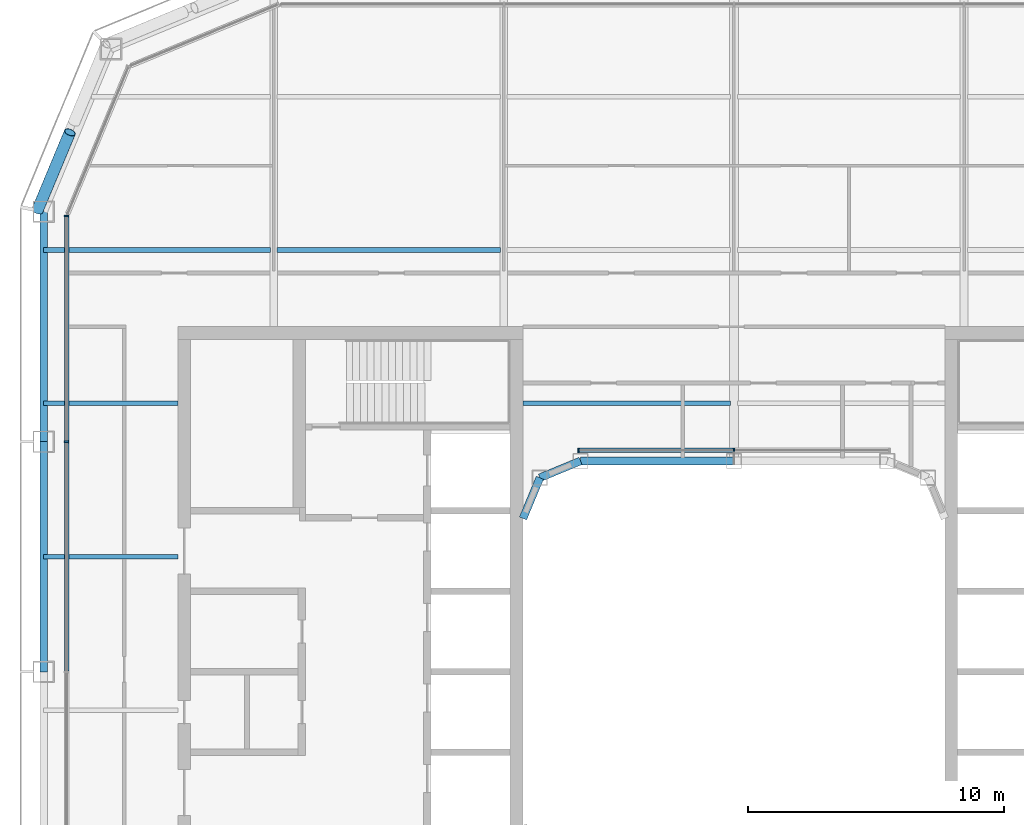
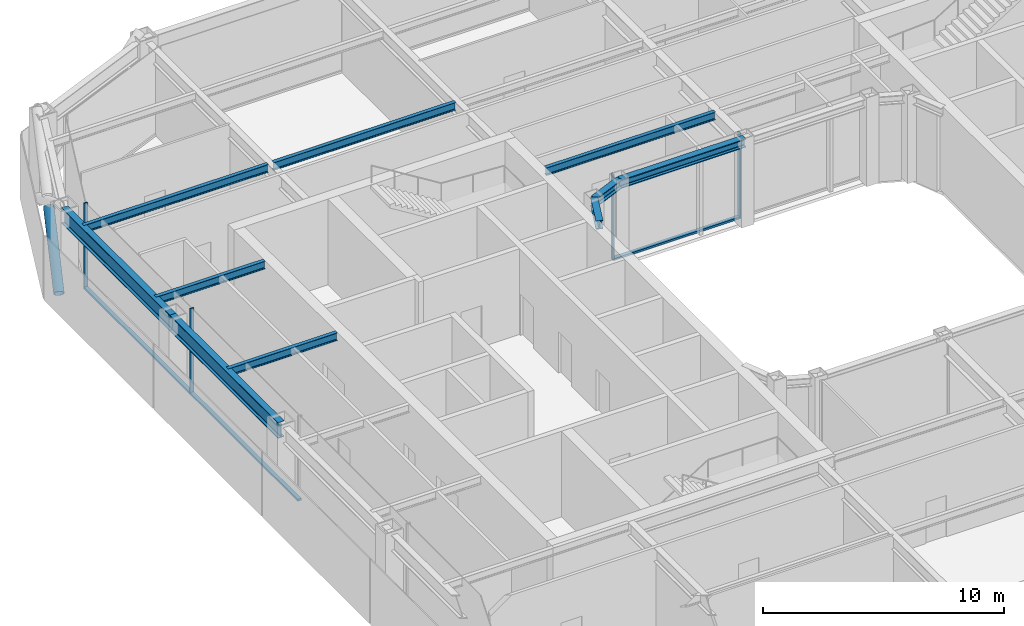
# One storey, part 6 of 19: 10 beams, 8 members, 2 elements without a shape of their own.
"""IFC4 building model written with IfcOpenShell, lengths in metres."""

import ifcopenshell
import ifcopenshell.guid

model = None  # the IFC model being written
_history = None  # IfcOwnerHistory: only IFC2X3 demands one
_inside = {}  # id of a spatial element -> (the spatial element, [elements in it])
_under = {}  # id of a project, library or spatial element -> (it, [spatial elements below it])
_declared = {}  # id of a project -> (the project, [libraries it declares])
_typed = {}  # id of a type object -> (the type object, [elements of that type])
_made_of = {}  # id of a material, layer set ... -> (it, [elements and type objects made of it])


def new_model(schema):
    """Start an empty IFC model of exactly this schema.

    Asked for "IFC4X3", IfcOpenShell would pick the latest addendum, in which some entities
    have other attributes; the version numbers below select the first issue.
    IFC2X3 requires an IfcOwnerHistory on every rooted entity: one is made here for all.
    """
    global model, _history
    if schema == "IFC4X3":
        model = ifcopenshell.file(schema_version=(4, 3, 0, 0))
    else:
        model = ifcopenshell.file(schema=schema)
    _inside.clear()
    _under.clear()
    _declared.clear()
    _typed.clear()
    _made_of.clear()
    _history = None
    if model.schema == "IFC2X3":
        org = make("IfcOrganization", Name="unknown")
        user = make(
            "IfcPersonAndOrganization",
            ThePerson=make("IfcPerson", FamilyName="unknown"),
            TheOrganization=org,
        )
        app = make(
            "IfcApplication",
            ApplicationDeveloper=org,
            Version="unknown",
            ApplicationFullName="unknown",
            ApplicationIdentifier="unknown",
        )
        _history = make(
            "IfcOwnerHistory",
            OwningUser=user,
            OwningApplication=app,
            ChangeAction="ADDED",
            CreationDate=0,
        )
    return model


def make(cls, **values):
    """One entity of the class cls with the attributes given. An attribute that is None is left unset."""
    return model.create_entity(
        cls, **{name: value for name, value in values.items() if value is not None}
    )


def rooted(cls, **values):
    """An entity with a GlobalId (a new one), such as an element, a storey or a relation."""
    return make(cls, GlobalId=ifcopenshell.guid.new(), OwnerHistory=_history, **values)


def si_unit(unit_type, name, prefix=None):
    """IfcSIUnit, for example si_unit("LENGTHUNIT", "METRE", prefix="MILLI")."""
    return make("IfcSIUnit", UnitType=unit_type, Prefix=prefix, Name=name)


def assignment(units):
    """IfcUnitAssignment: the units of a project."""
    return None if units is None else make("IfcUnitAssignment", Units=units)


def point(xyz):
    """IfcCartesianPoint."""
    return None if xyz is None else make("IfcCartesianPoint", Coordinates=xyz)


def direction(xyz):
    """IfcDirection."""
    return None if xyz is None else make("IfcDirection", DirectionRatios=xyz)


def frame(location, z_axis=None, x_axis=None):
    """IfcAxis2Placement3D, a coordinate frame: its origin and axes. An axis left out is left unset."""
    return make(
        "IfcAxis2Placement3D",
        Location=point(location),
        Axis=direction(z_axis),
        RefDirection=direction(x_axis),
    )


def frame_2d(location, x_axis=None):
    """IfcAxis2Placement2D, a coordinate frame in the plane: its origin and x axis."""
    return make(
        "IfcAxis2Placement2D", Location=point(location), RefDirection=direction(x_axis)
    )


def origin():
    """The frame at (0, 0, 0) with its axes left unset."""
    return frame((0.0, 0.0, 0.0))


def origin_2d():
    """The frame at (0, 0) in the plane with its x axis left unset."""
    return frame_2d((0.0, 0.0))


def place(relative_to, where):
    """IfcLocalPlacement: puts the frame where relative to a parent placement (None: the world)."""
    return make(
        "IfcLocalPlacement", PlacementRelTo=relative_to, RelativePlacement=where
    )


def context(
    kind, dimensions, precision=None, world=None, true_north=None, identifier=None
):
    """IfcGeometricRepresentationContext, for example the 3D "Model" context."""
    return make(
        "IfcGeometricRepresentationContext",
        ContextIdentifier=identifier,
        ContextType=kind,
        CoordinateSpaceDimension=dimensions,
        Precision=precision,
        WorldCoordinateSystem=world,
        TrueNorth=true_north,
    )


def subcontext(parent, identifier, kind, view, scale=None):
    """IfcGeometricRepresentationSubContext, for example "Body" below "Model"."""
    return make(
        "IfcGeometricRepresentationSubContext",
        ContextIdentifier=identifier,
        ContextType=kind,
        ParentContext=parent,
        TargetScale=scale,
        TargetView=view,
    )


def project(units=None, contexts=None):
    """IfcProject with its units and contexts."""
    return rooted(
        "IfcProject",
        Name="project",
        RepresentationContexts=contexts,
        UnitsInContext=assignment(units),
    )


def spatial(cls, under=None, at=None, **own):
    """A site, building, storey or space (cls), placed at a placement, below another one or the project."""
    s = rooted(cls, ObjectPlacement=at, **own)
    if under is not None:
        _under.setdefault(under.id(), (under, []))[1].append(s)
    return s


def profile(cls, at=None, kind="AREA", **sizes):
    """A parametric profile (cls). Its sizes go by their IFC names, for example OverallWidth=200.0."""
    return make(cls, ProfileType=kind, Position=at, **sizes)


def rectangle(**sizes):
    """IfcRectangleProfileDef."""
    return profile("IfcRectangleProfileDef", **sizes)


def hollow_circle(**sizes):
    """IfcCircleHollowProfileDef."""
    return profile("IfcCircleHollowProfileDef", **sizes)


def i_section(**sizes):
    """IfcIShapeProfileDef."""
    return profile("IfcIShapeProfileDef", **sizes)


def extrude(swept, where, along, depth):
    """IfcExtrudedAreaSolid: the profile swept, set in the frame where, extruded along a direction by depth."""
    return make(
        "IfcExtrudedAreaSolid",
        SweptArea=swept,
        Position=where,
        ExtrudedDirection=direction(along),
        Depth=depth,
    )


def shape(context_of_items, identifier, shape_type, items):
    """IfcShapeRepresentation: the items that make up one representation, for example the "Body"."""
    return make(
        "IfcShapeRepresentation",
        ContextOfItems=context_of_items,
        RepresentationIdentifier=identifier,
        RepresentationType=shape_type,
        Items=items,
    )


def material(Name=None, Category=None):
    """IfcMaterial."""
    return make("IfcMaterial", Name=Name, Category=Category)


def layer(
    of_material, thickness, ventilated=None, Name=None, Category=None, Priority=None
):
    """IfcMaterialLayer: one layer of a wall or slab, of a material (None: an air gap)."""
    return make(
        "IfcMaterialLayer",
        Material=of_material,
        LayerThickness=thickness,
        IsVentilated=ventilated,
        Name=Name,
        Category=Category,
        Priority=Priority,
    )


def layer_set(layers, Name=None):
    """IfcMaterialLayerSet."""
    return make("IfcMaterialLayerSet", MaterialLayers=layers, LayerSetName=Name)


def material_profile(
    of_material, cross_section, Name=None, Category=None, Priority=None
):
    """IfcMaterialProfile: a cross section and its material."""
    return make(
        "IfcMaterialProfile",
        Name=Name,
        Material=of_material,
        Profile=cross_section,
        Priority=Priority,
        Category=Category,
    )


def profile_set(profiles, Name=None, composite=None):
    """IfcMaterialProfileSet."""
    return make(
        "IfcMaterialProfileSet",
        Name=Name,
        MaterialProfiles=profiles,
        CompositeProfile=composite,
    )


def made_of(thing, what):
    """Note that an element or type object is made of a material, layer set ...; save() writes the relation."""
    if what is not None:
        _made_of.setdefault(what.id(), (what, []))[1].append(thing)
    return thing


def type_object(cls, material=None, **own):
    """A type object (cls), such as IfcWallType, which elements share."""
    return made_of(rooted(cls, **own), material)


def element(
    cls,
    number,
    at=None,
    inside=None,
    cuts=None,
    type_object=None,
    material=None,
    context=None,
    identifier="Body",
    shape_type=None,
    held_by="IfcProductDefinitionShape",
    body=None,
    shapes=None,
    **own,
):
    """One element of the class cls, such as IfcWall. Its Tag is "e" and its number.

    at: its placement. inside: the storey or other place that contains it. cuts: it is an
    opening in that element (IfcRelVoidsElement). A single representation is given by context,
    identifier, shape_type and body (its items); several are given by shapes. held_by: the class
    of the entity that holds the representations. save() writes the other relations.
    """
    e = rooted(cls, Tag="e%d" % number, ObjectPlacement=at, **own)
    if body is not None:
        shapes = [shape(context, identifier, shape_type, body)]
    if shapes is not None:
        e.Representation = make(held_by, Representations=shapes)
    if inside is not None:
        _inside.setdefault(inside.id(), (inside, []))[1].append(e)
    if cuts is not None:
        rooted(
            "IfcRelVoidsElement", RelatingBuildingElement=cuts, RelatedOpeningElement=e
        )
    if type_object is not None:
        _typed.setdefault(type_object.id(), (type_object, []))[1].append(e)
    return made_of(e, material)


def aggregate(whole, parts):
    """IfcRelAggregates: a whole, such as a stair, and the parts it consists of."""
    return rooted("IfcRelAggregates", RelatingObject=whole, RelatedObjects=parts)


def save(model, path):
    """Write the relations noted so far, then the file.

    IfcRelAggregates (storeys below a building ...), IfcRelContainedInSpatialStructure (elements
    in a storey), IfcRelDefinesByType, IfcRelAssociatesMaterial and IfcRelDeclares: one each for
    every whole, place, type object, material and project.
    """
    for whole, parts in _under.values():
        aggregate(whole, parts)
    for where, things in _inside.values():
        rooted(
            "IfcRelContainedInSpatialStructure",
            RelatedElements=things,
            RelatingStructure=where,
        )
    for kind, things in _typed.values():
        rooted("IfcRelDefinesByType", RelatedObjects=things, RelatingType=kind)
    for what, things in _made_of.values():
        rooted("IfcRelAssociatesMaterial", RelatedObjects=things, RelatingMaterial=what)
    for by, libraries in _declared.values():
        rooted("IfcRelDeclares", RelatingContext=by, RelatedDefinitions=libraries)
    model.write(path)


model = new_model("IFC4")

# Units and contexts
model_context = context("Model", 3, precision=1e-05, world=origin(), true_north=direction((0.0, 1.0)))
body_context = subcontext(model_context, "Body", "Model", "MODEL_VIEW")
ifc_project = project(units=[si_unit("LENGTHUNIT", "METRE"), si_unit("AREAUNIT", "SQUARE_METRE"), si_unit("VOLUMEUNIT", "CUBIC_METRE"), si_unit("PLANEANGLEUNIT", "RADIAN"), si_unit("MASSUNIT", "GRAM", prefix="KILO")], contexts=[model_context])

# Site, building, storey
site_placement = place(None, origin())
site = spatial("IfcSite", under=ifc_project, at=site_placement, CompositionType="ELEMENT")
building_placement = place(site_placement, origin())
building = spatial("IfcBuilding", under=site, at=building_placement, Name="Siwar Civic Tower", CompositionType="ELEMENT")
storey_placement = place(building_placement, frame((0.0, 0.0, 192.699951171875)))
storey = spatial("IfcBuildingStorey", under=building, at=storey_placement, Name="L41", CompositionType="ELEMENT", Elevation=192.699951171875)

# Curtain wall, members
ifc_material_1 = material(Name="Aluminium and glass", Category="aluminium")
ifc_layer_1 = layer(ifc_material_1, 0.179931640625)
ifc_layer_set_1 = layer_set([ifc_layer_1], Name="Aluminium and glass")
curtain_wall_type_1 = type_object("IfcCurtainWallType", Name="ENV-CW-C", PredefinedType="NOTDEFINED", material=ifc_layer_set_1)
curtain_wall_1_placement = place(storey_placement, origin())
curtain_wall_1 = element("IfcCurtainWall", 1, at=curtain_wall_1_placement, inside=storey, type_object=curtain_wall_type_1, Name="Curtain wall C W", PredefinedType="NOTDEFINED")
ifc_material_2 = material(Name="Aluminium 6063-T6", Category="aluminium")
ifc_material_profile_1 = material_profile(ifc_material_2, rectangle(XDim=0.179931640625, YDim=0.06005859375, at=origin_2d()), Name="AL 180x60")
ifc_profile_set_1 = profile_set([ifc_material_profile_1], Name="Aluminium 6063-T6")
member_type_1 = type_object("IfcMemberType", Name="ENV-MULLION-C", PredefinedType="MULLION", material=ifc_profile_set_1)
member_1_placement = place(storey_placement, frame((-26.10009765625, 17.821044921875, 0.0), z_axis=(0.0, 0.0, 1.0), x_axis=(1.0, 0.0, 0.0)))
member_1 = element("IfcMember", 2, at=member_1_placement, type_object=member_type_1, Name="Mullion C W 1", PredefinedType="MULLION", context=body_context, shape_type="SweptSolid", body=[
    extrude(rectangle(XDim=0.179931640625, YDim=0.06005859375, at=origin_2d()), origin(), (0.0, 0.0, 1.0), 4.35009765625),
])
member_2_placement = place(storey_placement, frame((-26.10009765625, 9.0, 0.0), z_axis=(0.0, 0.0, 1.0), x_axis=(1.0, 0.0, 0.0)))
member_2 = element("IfcMember", 3, at=member_2_placement, type_object=member_type_1, Name="Mullion C W 2", PredefinedType="MULLION", context=body_context, shape_type="SweptSolid", body=[
    extrude(rectangle(XDim=0.179931640625, YDim=0.06005859375, at=origin_2d()), origin(), (0.0, 0.0, 1.0), 4.35009765625),
])

ifc_material_3 = material(Name="Aluminium and glass", Category="aluminium")
ifc_layer_2 = layer(ifc_material_3, 0.179931640625)
ifc_layer_set_2 = layer_set([ifc_layer_2], Name="Aluminium and glass")
curtain_wall_type_2 = type_object("IfcCurtainWallType", Name="ENV-CW-W", PredefinedType="NOTDEFINED", material=ifc_layer_set_2)
curtain_wall_2_placement = place(storey_placement, origin())
curtain_wall_2 = element("IfcCurtainWall", 4, at=curtain_wall_2_placement, inside=storey, type_object=curtain_wall_type_2, Name="Curtain wall W WN", PredefinedType="NOTDEFINED")
ifc_material_4 = material(Name="Aluminium 6063-T6", Category="aluminium")
ifc_material_profile_2 = material_profile(ifc_material_4, rectangle(XDim=0.179931640625, YDim=0.06005859375, at=origin_2d()), Name="AL 180x60")
ifc_profile_set_2 = profile_set([ifc_material_profile_2], Name="Aluminium 6063-T6")
member_type_2 = type_object("IfcMemberType", Name="ENV-MULLION-W", PredefinedType="MULLION", material=ifc_profile_set_2)
member_3_placement = place(storey_placement, frame((0.0, 8.659912109375, 0.0), z_axis=(0.0, 0.0, 1.0), x_axis=(0.0, -1.0, 0.0)))
member_3 = element("IfcMember", 5, at=member_3_placement, type_object=member_type_2, Name="Mullion W WN 2", PredefinedType="MULLION", context=body_context, shape_type="SweptSolid", body=[
    extrude(rectangle(XDim=0.179931640625, YDim=0.06005859375, at=origin_2d()), origin(), (0.0, 0.0, 1.0), 4.35009765625),
])
member_4_placement = place(storey_placement, frame((-6.08154296875, 8.659912109375, 0.0), z_axis=(0.0, 0.0, 1.0), x_axis=(0.0, -1.0, 0.0)))
member_4 = element("IfcMember", 6, at=member_4_placement, type_object=member_type_2, Name="Mullion W WN 3", PredefinedType="MULLION", context=body_context, shape_type="SweptSolid", body=[
    extrude(rectangle(XDim=0.179931640625, YDim=0.06005859375, at=origin_2d()), origin(), (0.0, 0.0, 1.0), 4.35009765625),
])

# Member
ifc_material_5 = material(Name="Aluminium 6063-T6", Category="aluminium")
ifc_material_profile_3 = material_profile(ifc_material_5, rectangle(XDim=0.179931640625, YDim=0.10009765625, at=origin_2d()), Name="AL 180x100")
ifc_profile_set_3 = profile_set([ifc_material_profile_3], Name="Aluminium 6063-T6")
member_type_3 = type_object("IfcMemberType", Name="ENV-TRANSOM-C", PredefinedType="USERDEFINED", material=ifc_profile_set_3)
member_5_placement = place(storey_placement, frame((-26.10009765625, 17.791015625, 0.050048828125), z_axis=(0.0, -1.0, 0.0), x_axis=(1.0, 0.0, 0.0)))
member_5 = element("IfcMember", 7, at=member_5_placement, type_object=member_type_3, Name="Transom C W 1", ObjectType="TRANSOM", PredefinedType="USERDEFINED", context=body_context, shape_type="SweptSolid", body=[
    extrude(rectangle(XDim=0.179931640625, YDim=0.10009765625, at=origin_2d()), origin(), (0.0, 0.0, 1.0), 8.760986328125),
])

member_6_placement = place(storey_placement, frame((-26.10009765625, 8.969970703125, 0.050048828125), z_axis=(0.0, -1.0, 0.0), x_axis=(1.0, 0.0, 0.0)))
member_6 = element("IfcMember", 8, at=member_6_placement, type_object=member_type_3, Name="Transom C W 2", ObjectType="TRANSOM", PredefinedType="USERDEFINED", context=body_context, shape_type="SweptSolid", body=[
    extrude(rectangle(XDim=0.179931640625, YDim=0.10009765625, at=origin_2d()), origin(), (0.0, 0.0, 1.0), 8.93994140625),
])

aggregate(curtain_wall_1, [member_1, member_2, member_5, member_6])

ifc_material_6 = material(Name="Aluminium 6063-T6", Category="aluminium")
ifc_material_profile_4 = material_profile(ifc_material_6, rectangle(XDim=0.179931640625, YDim=0.10009765625, at=origin_2d()), Name="AL 180x100")
ifc_profile_set_4 = profile_set([ifc_material_profile_4], Name="Aluminium 6063-T6")
member_type_4 = type_object("IfcMemberType", Name="ENV-TRANSOM-W", PredefinedType="USERDEFINED", material=ifc_profile_set_4)
member_7_placement = place(storey_placement, frame((-0.030029296875, 8.659912109375, 0.050048828125), z_axis=(-1.0, 0.0, 0.0), x_axis=(0.0, -1.0, 0.0)))
member_7 = element("IfcMember", 9, at=member_7_placement, type_object=member_type_4, Name="Transom W WN 2", ObjectType="TRANSOM", PredefinedType="USERDEFINED", context=body_context, shape_type="SweptSolid", body=[
    extrude(rectangle(XDim=0.179931640625, YDim=0.10009765625, at=origin_2d()), origin(), (0.0, 0.0, 1.0), 6.021484375),
])

aggregate(curtain_wall_2, [member_3, member_4, member_7])

ifc_material_7 = material(Name="Steel S355", Category="steel")
ifc_material_profile_5 = material_profile(ifc_material_7, hollow_circle(Radius=0.228515625, WallThickness=0.02001953125, at=origin_2d()), Name="CHS457x20")
ifc_profile_set_5 = profile_set([ifc_material_profile_5], Name="Steel S355")
member_type_5 = type_object("IfcMemberType", Name="STR-BR-CHS457x20", PredefinedType="BRACE", material=ifc_profile_set_5)
member_8_placement = place(storey_placement, frame((-27.2451171875, 18.048828125, 0.0), z_axis=(0.323884455881, 0.777546448489, 0.538999424564), x_axis=(-0.92311621485, 0.38452107079, 0.0)))
element("IfcMember", 10, at=member_8_placement, inside=storey, type_object=member_type_5, Name="L41/brc/CNW1-1-0-2", PredefinedType="BRACE", context=body_context, shape_type="SweptSolid", body=[
    extrude(hollow_circle(Radius=0.228515625, WallThickness=0.02001953125, at=origin_2d()), origin(), (0.0, 0.0, 1.0), 3.927978515625),
])

# Beams
ifc_material_8 = material(Name="Steel S355", Category="steel")
ifc_material_profile_6 = material_profile(ifc_material_8, i_section(OverallWidth=0.179931640625, OverallDepth=0.39990234375, WebThickness=0.008544921875, FlangeThickness=0.013427734375, FilletRadius=0.02099609375, at=origin_2d()), Name="IPE400")
ifc_profile_set_6 = profile_set([ifc_material_profile_6], Name="Steel S355")
beam_type_1 = type_object("IfcBeamType", Name="STR-FB-IPE400", PredefinedType="JOIST", material=ifc_profile_set_6)
for number, where, z_axis, x_axis, name in (
    (11, (-27.0, 4.5, 4.150146484375), (1.0, 0.0, 0.0), (0.0, 1.0, 0.0), "L41/bm/F025"),
    (12, (-27.0, 10.5, 4.150146484375), (1.0, 0.0, 0.0), (0.0, 1.0, 0.0), "L41/bm/F027"),
):
    element("IfcBeam", number, at=place(storey_placement, frame(where, z_axis=z_axis, x_axis=x_axis)), inside=storey, type_object=beam_type_1, Name=name, PredefinedType="JOIST", context=body_context, shape_type="SweptSolid", body=[
        extrude(i_section(OverallWidth=0.179931640625, OverallDepth=0.39990234375, WebThickness=0.008544921875, FlangeThickness=0.013427734375, FilletRadius=0.02099609375, at=origin_2d()), origin(), (0.0, 0.0, 1.0), 5.25),
    ])
beam_1_placement = place(storey_placement, frame((-8.25, 10.5, 4.150146484375), z_axis=(1.0, 0.0, 0.0), x_axis=(0.0, 1.0, 0.0)))
element("IfcBeam", 13, at=beam_1_placement, inside=storey, type_object=beam_type_1, Name="L41/bm/F028", PredefinedType="JOIST", context=body_context, shape_type="SweptSolid", body=[
    extrude(i_section(OverallWidth=0.179931640625, OverallDepth=0.39990234375, WebThickness=0.008544921875, FlangeThickness=0.013427734375, FilletRadius=0.02099609375, at=origin_2d()), origin(), (0.0, 0.0, 1.0), 8.1201171875),
])
beam_2_placement = place(storey_placement, frame((-27.0, 16.5, 4.150146484375), z_axis=(1.0, 0.0, 0.0), x_axis=(0.0, 1.0, 0.0)))
element("IfcBeam", 14, at=beam_2_placement, inside=storey, type_object=beam_type_1, Name="L41/bm/F031", PredefinedType="JOIST", context=body_context, shape_type="SweptSolid", body=[
    extrude(i_section(OverallWidth=0.179931640625, OverallDepth=0.39990234375, WebThickness=0.008544921875, FlangeThickness=0.013427734375, FilletRadius=0.02099609375, at=origin_2d()), origin(), (0.0, 0.0, 1.0), 8.8701171875),
])
beam_3_placement = place(storey_placement, frame((-17.8701171875, 16.5, 4.150146484375), z_axis=(1.0, 0.0, 0.0), x_axis=(0.0, 1.0, 0.0)))
element("IfcBeam", 15, at=beam_3_placement, inside=storey, type_object=beam_type_1, Name="L41/bm/F032", PredefinedType="JOIST", context=body_context, shape_type="SweptSolid", body=[
    extrude(i_section(OverallWidth=0.179931640625, OverallDepth=0.39990234375, WebThickness=0.008544921875, FlangeThickness=0.013427734375, FilletRadius=0.02099609375, at=origin_2d()), origin(), (0.0, 0.0, 1.0), 8.740234375),
])
ifc_material_9 = material(Name="Steel S355", Category="steel")
ifc_material_profile_7 = material_profile(ifc_material_9, i_section(OverallWidth=0.306884765625, OverallDepth=0.431884765625, WebThickness=0.02099609375, FlangeThickness=0.0400390625, FilletRadius=0.027099609375, at=origin_2d()), Name="HEM400")
ifc_profile_set_7 = profile_set([ifc_material_profile_7], Name="Steel S355")
beam_type_2 = type_object("IfcBeamType", Name="STR-RB-HEM400", PredefinedType="BEAM", material=ifc_profile_set_7)
beam_4_placement = place(storey_placement, frame((-7.591064453125, 7.591064453125, 4.134033203125), z_axis=(0.923901072997, 0.382631424892, 0.0), x_axis=(-0.382631424892, 0.923901072997, 0.0)))
element("IfcBeam", 16, at=beam_4_placement, inside=storey, type_object=beam_type_2, Name="L41/bm/RN0", PredefinedType="BEAM", context=body_context, shape_type="SweptSolid", body=[
    extrude(i_section(OverallWidth=0.306884765625, OverallDepth=0.431884765625, WebThickness=0.02099609375, FlangeThickness=0.0400390625, FilletRadius=0.027099609375, at=origin_2d()), origin(), (0.0, 0.0, 1.0), 1.72216796875),
])
beam_5_placement = place(storey_placement, frame((-6.0, 8.25, 4.134033203125), z_axis=(1.0, 0.0, 0.0), x_axis=(0.0, 1.0, 0.0)))
element("IfcBeam", 17, at=beam_5_placement, inside=storey, type_object=beam_type_2, Name="L41/bm/RN1", PredefinedType="BEAM", context=body_context, shape_type="SweptSolid", body=[
    extrude(i_section(OverallWidth=0.306884765625, OverallDepth=0.431884765625, WebThickness=0.02099609375, FlangeThickness=0.0400390625, FilletRadius=0.027099609375, at=origin_2d()), origin(), (0.0, 0.0, 1.0), 6.0),
])
beam_6_placement = place(storey_placement, frame((-7.591064453125, 7.591064453125, 4.134033203125), z_axis=(-0.382631424892, -0.923901072997, 0.0), x_axis=(0.923901072997, -0.382631424892, 0.0)))
element("IfcBeam", 18, at=beam_6_placement, inside=storey, type_object=beam_type_2, Name="L41/bm/RNEW", PredefinedType="BEAM", context=body_context, shape_type="SweptSolid", body=[
    extrude(i_section(OverallWidth=0.306884765625, OverallDepth=0.431884765625, WebThickness=0.02099609375, FlangeThickness=0.0400390625, FilletRadius=0.027099609375, at=origin_2d()), origin(), (0.0, 0.0, 1.0), 1.72216796875),
])
ifc_material_10 = material(Name="Steel S355", Category="steel")
ifc_material_profile_8 = material_profile(ifc_material_10, i_section(OverallWidth=0.300048828125, OverallDepth=0.800048828125, WebThickness=0.017578125, FlangeThickness=0.032958984375, FilletRadius=0.030029296875, at=origin_2d()), Name="HEB800")
ifc_profile_set_8 = profile_set([ifc_material_profile_8], Name="Steel S355")
beam_type_3 = type_object("IfcBeamType", Name="STR-SB-HEB800", PredefinedType="BEAM", material=ifc_profile_set_8)
for number, where, z_axis, x_axis, name in (
    (19, (-27.0, 18.0, 3.949951171875), (0.0, -1.0, 0.0), (1.0, 0.0, 0.0), "L41/bm/SW-0"),
    (20, (-27.0, 9.0, 3.949951171875), (0.0, -1.0, 0.0), (1.0, 0.0, 0.0), "L41/bm/SW-1"),
):
    element("IfcBeam", number, at=place(storey_placement, frame(where, z_axis=z_axis, x_axis=x_axis)), inside=storey, type_object=beam_type_3, Name=name, PredefinedType="BEAM", context=body_context, shape_type="SweptSolid", body=[
        extrude(i_section(OverallWidth=0.300048828125, OverallDepth=0.800048828125, WebThickness=0.017578125, FlangeThickness=0.032958984375, FilletRadius=0.030029296875, at=origin_2d()), origin(), (0.0, 0.0, 1.0), 9.0),
    ])

save(model, "model.ifc")
